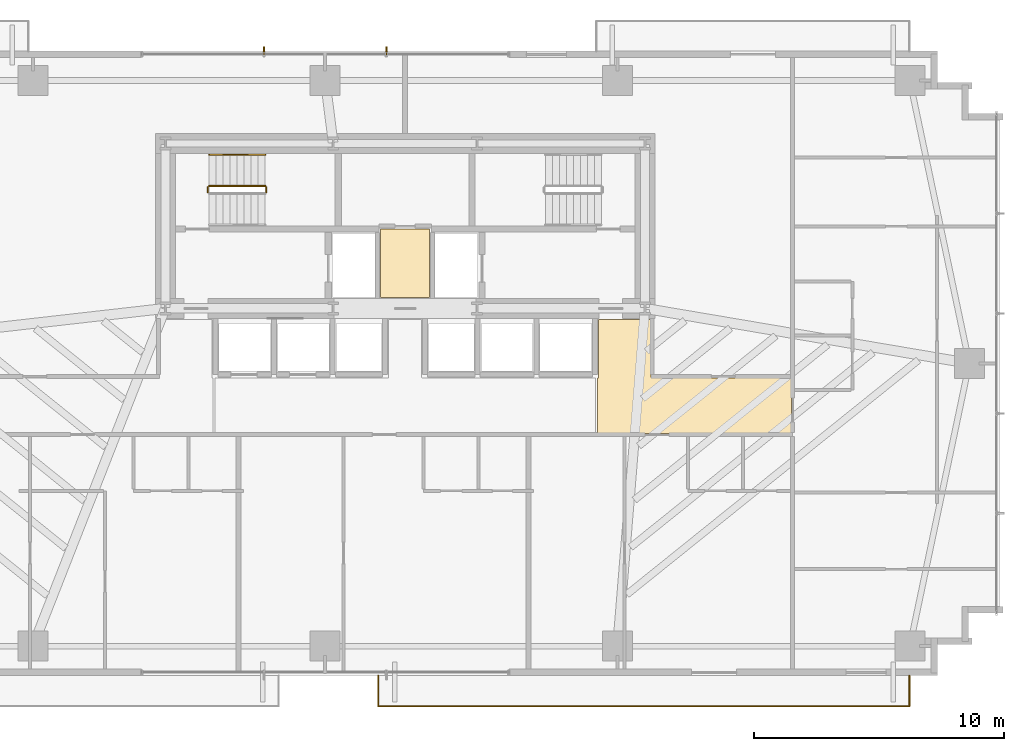
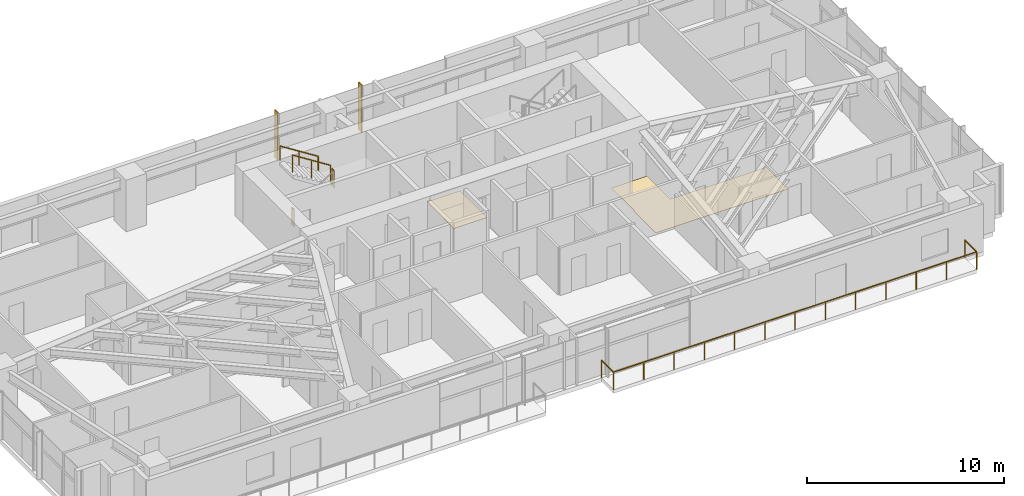
# One storey, part 24 of 25: 5 railings, 2 coverings, 2 shading devices.
"""IFC4 building model written with IfcOpenShell, lengths in metres."""

from ifc_helpers import new_model, si_unit, direction, frame, origin, origin_2d, place, context, subcontext, project, spatial, polyline, rectangle, outline, extrude, source, transform, mapped, material, layer, layer_set, type_object, type_shapes, element, save


model = new_model("IFC4")

# Units and contexts
model_context = context("Model", 3, precision=1e-05, world=origin(), true_north=direction((0.0, 1.0)))
body_context = subcontext(model_context, "Body", "Model", "MODEL_VIEW")
ifc_project = project(units=[si_unit("LENGTHUNIT", "METRE"), si_unit("AREAUNIT", "SQUARE_METRE"), si_unit("VOLUMEUNIT", "CUBIC_METRE"), si_unit("PLANEANGLEUNIT", "RADIAN"), si_unit("MASSUNIT", "GRAM", prefix="KILO")], contexts=[model_context])

# Site, building, storey
site_placement = place(None, origin())
site = spatial("IfcSite", under=ifc_project, at=site_placement, CompositionType="ELEMENT")
building_placement = place(site_placement, origin())
building = spatial("IfcBuilding", under=site, at=building_placement, Name="Astriad Promenade Condominiums", CompositionType="ELEMENT")
storey_placement = place(building_placement, frame((0.0, 0.0, 51.800048828125)))
storey = spatial("IfcBuildingStorey", under=building, at=storey_placement, Name="L14", CompositionType="ELEMENT", Elevation=51.800048828125)

# Coverings
ifc_material_1 = material(Name="Polished Lakefront Terrazzo Flooring")
ifc_layer = layer(ifc_material_1, 0.02001953125)
ifc_layer_set = layer_set([ifc_layer], Name="Polished Lakefront Terrazzo Flooring")
covering_type = type_object("IfcCoveringType", Name="COV-FLOR-TERRAZZO-20", PredefinedType="FLOORING", material=ifc_layer_set)
covering_1_placement = place(storey_placement, origin())
element("IfcCovering", 1, at=covering_1_placement, inside=storey, type_object=covering_type, Name="FLR-L14-CSL", PredefinedType="FLOORING", context=body_context, shape_type="SweptSolid", body=[
    extrude(outline(polyline([(36.97998046875, 17.840087890625), (35.02001953125, 17.840087890625), (35.02001953125, 20.580078125), (36.97998046875, 20.580078125), (36.97998046875, 17.840087890625)])), origin(), (0.0, 0.0, 1.0), 0.02001953125),
])
covering_2_placement = place(storey_placement, origin())
element("IfcCovering", 2, at=covering_2_placement, inside=storey, type_object=covering_type, Name="FLR-L14-COR-1", PredefinedType="FLOORING", context=body_context, shape_type="SweptSolid", body=[
    extrude(outline(polyline([(43.699951171875, 12.389892578125), (43.699951171875, 14.610107421875), (43.703857421875, 14.610107421875), (43.707763671875, 14.61083984375), (43.711669921875, 14.61181640625), (43.71533203125, 14.613037109375), (43.718994140625, 14.61474609375), (43.72216796875, 14.61669921875), (43.725341796875, 14.619140625), (43.728271484375, 14.62158203125), (43.73095703125, 14.62451171875), (43.7333984375, 14.627685546875), (43.7353515625, 14.631103515625), (43.737060546875, 14.634765625), (43.73828125, 14.638427734375), (43.7392578125, 14.64208984375), (43.73974609375, 14.64599609375), (43.739990234375, 14.64990234375), (43.739990234375, 16.9599609375), (45.840087890625, 16.9599609375), (45.840087890625, 14.659912109375), (45.840087890625, 14.656005859375), (45.8408203125, 14.652099609375), (45.841796875, 14.6484375), (45.843017578125, 14.644775390625), (45.8447265625, 14.64111328125), (45.8466796875, 14.6376953125), (45.84912109375, 14.634521484375), (45.851806640625, 14.631591796875), (45.8544921875, 14.629150390625), (45.85791015625, 14.626708984375), (45.861083984375, 14.624755859375), (45.86474609375, 14.623046875), (45.868408203125, 14.62158203125), (45.872314453125, 14.620849609375), (45.876220703125, 14.6201171875), (45.8798828125, 14.6201171875), (51.4599609375, 14.6201171875), (51.4599609375, 12.389892578125), (43.699951171875, 12.389892578125)])), origin(), (0.0, 0.0, 1.0), 0.02001953125),
])

# Shading devices
ifc_material_2 = material(Name="Anodised aluminium 6063-T6 Black Fin", Category="aluminium")
shading_device_type = type_object("IfcShadingDeviceType", Name="FIN-BLACK-320", PredefinedType="USERDEFINED", material=ifc_material_2)
shared_shape_1 = source(origin(), body_context, "Body", "SweptSolid", [
    extrude(rectangle(XDim=0.06494140625, YDim=0.320068359375, at=origin_2d()), origin(), (0.0, 0.0, 1.0), 2.93994140625),
])
type_shapes(shading_device_type, [shared_shape_1])
for number, where, z_axis, x_axis, name in (
    (3, (30.35009765625, 27.7099609375, 0.0), (0.0, 0.0, 1.0), (1.0, 0.0, 0.0), "CW-L14-N-FIN-01"),
    (4, (35.25, 27.7099609375, 0.0), (0.0, 0.0, 1.0), (1.0, 0.0, 0.0), "CW-L14-N-FIN-02"),
):
    element("IfcShadingDevice", number, at=place(storey_placement, frame(where, z_axis=z_axis, x_axis=x_axis)), inside=storey, type_object=shading_device_type, Name=name, ObjectType="FIN", PredefinedType="USERDEFINED", context=body_context, shape_type="MappedRepresentation", body=[
        mapped(shared_shape_1, transform((0.0, 0.0, 0.0), scale=1.0)),
    ])

# Railings
ifc_material_3 = material(Name="Laminated Glass and Stainless Steel Balustrade", Category="steel")
railing_type_1 = type_object("IfcRailingType", Name="GRD-BALC-1120", PredefinedType="BALUSTRADE", material=ifc_material_3)
shared_shape_2 = source(origin(), body_context, "Body", "SweptSolid", [
    extrude(rectangle(XDim=0.048095703125, YDim=0.048095703125, at=origin_2d()), frame((0.0, 0.0, 1.09619140625), z_axis=(0.0, -1.0, 0.0), x_axis=(1.0, 0.0, 0.0)), (0.0, 0.0, 1.0), 1.219970703125),
    extrude(rectangle(XDim=0.048095703125, YDim=0.048095703125, at=origin_2d()), frame((0.0, -1.219970703125, 1.09619140625), z_axis=(1.0, 0.0, 0.0), x_axis=(0.0, 1.0, 0.0)), (0.0, 0.0, 1.0), 21.258056640625),
    extrude(rectangle(XDim=0.048095703125, YDim=0.048095703125, at=origin_2d()), frame((21.258056640625, -1.219970703125, 1.09619140625), z_axis=(0.0, 1.0, 0.0), x_axis=(-1.0, 0.0, 0.0)), (0.0, 0.0, 1.0), 1.219970703125),
    extrude(rectangle(XDim=0.0419921875, YDim=0.0419921875, at=origin_2d()), origin(), (0.0, 0.0, 1.0), 1.072021484375),
    extrude(rectangle(XDim=0.0419921875, YDim=0.0419921875, at=origin_2d()), frame((0.0, -1.219970703125, 0.0)), (0.0, 0.0, 1.0), 1.072021484375),
    extrude(rectangle(XDim=0.0419921875, YDim=0.0419921875, at=origin_2d()), frame((1.771484375, -1.219970703125, 0.0)), (0.0, 0.0, 1.0), 1.072021484375),
    extrude(rectangle(XDim=0.0419921875, YDim=0.0419921875, at=origin_2d()), frame((3.54296875, -1.219970703125, 0.0)), (0.0, 0.0, 1.0), 1.072021484375),
    extrude(rectangle(XDim=0.0419921875, YDim=0.0419921875, at=origin_2d()), frame((5.314453125, -1.219970703125, 0.0)), (0.0, 0.0, 1.0), 1.072021484375),
    extrude(rectangle(XDim=0.0419921875, YDim=0.0419921875, at=origin_2d()), frame((7.0859375, -1.219970703125, 0.0)), (0.0, 0.0, 1.0), 1.072021484375),
    extrude(rectangle(XDim=0.0419921875, YDim=0.0419921875, at=origin_2d()), frame((8.857421875, -1.219970703125, 0.0)), (0.0, 0.0, 1.0), 1.072021484375),
    extrude(rectangle(XDim=0.0419921875, YDim=0.0419921875, at=origin_2d()), frame((10.62890625, -1.219970703125, 0.0)), (0.0, 0.0, 1.0), 1.072021484375),
    extrude(rectangle(XDim=0.0419921875, YDim=0.0419921875, at=origin_2d()), frame((12.400634765625, -1.219970703125, 0.0)), (0.0, 0.0, 1.0), 1.072021484375),
    extrude(rectangle(XDim=0.0419921875, YDim=0.0419921875, at=origin_2d()), frame((14.172119140625, -1.219970703125, 0.0)), (0.0, 0.0, 1.0), 1.072021484375),
    extrude(rectangle(XDim=0.0419921875, YDim=0.0419921875, at=origin_2d()), frame((15.943603515625, -1.219970703125, 0.0)), (0.0, 0.0, 1.0), 1.072021484375),
    extrude(rectangle(XDim=0.0419921875, YDim=0.0419921875, at=origin_2d()), frame((17.715087890625, -1.219970703125, 0.0)), (0.0, 0.0, 1.0), 1.072021484375),
    extrude(rectangle(XDim=0.0419921875, YDim=0.0419921875, at=origin_2d()), frame((19.486572265625, -1.219970703125, 0.0)), (0.0, 0.0, 1.0), 1.072021484375),
    extrude(rectangle(XDim=0.0419921875, YDim=0.0419921875, at=origin_2d()), frame((21.258056640625, -1.219970703125, 0.0)), (0.0, 0.0, 1.0), 1.072021484375),
    extrude(rectangle(XDim=0.0419921875, YDim=0.0419921875, at=origin_2d()), frame((21.258056640625, 0.0, 0.0)), (0.0, 0.0, 1.0), 1.072021484375),
])
type_shapes(railing_type_1, [shared_shape_2])
railing_1_placement = place(storey_placement, frame((34.927978515625, 2.699951171875, 0.0)))
element("IfcRailing", 5, at=railing_1_placement, inside=storey, type_object=railing_type_1, Name="GRD-BALC-L14-SE", PredefinedType="BALUSTRADE", context=body_context, shape_type="MappedRepresentation", body=[
    mapped(shared_shape_2, transform((0.0, 0.0, 0.0), scale=1.0)),
])
ifc_material_4 = material(Name="Painted Galvanised Steel Guardrail", Category="steel")
railing_type_2 = type_object("IfcRailingType", Name="GRD-STAIR-1100", PredefinedType="GUARDRAIL", material=ifc_material_4)
shared_shape_3 = source(origin(), body_context, "Body", "SweptSolid", [
    extrude(rectangle(XDim=0.048095703125, YDim=0.048095703125, at=origin_2d()), frame((0.0, 0.0, 1.076171875), z_axis=(0.0, 1.0, 0.0), x_axis=(-1.0, 0.0, 0.0)), (0.0, 0.0, 1.0), 0.199951171875),
    extrude(rectangle(XDim=0.0419921875, YDim=0.0419921875, at=origin_2d()), origin(), (0.0, 0.0, 1.0), 1.052001953125),
    extrude(rectangle(XDim=0.0419921875, YDim=0.0419921875, at=origin_2d()), frame((0.0, 0.199951171875, 0.0)), (0.0, 0.0, 1.0), 1.052001953125),
])
for number, where, name in (
    (6, (30.43994140625, 22.050048828125, 1.599853515625), "L14 ST-1 stair guard 2"),
    (7, (28.10009765625, 22.050048828125, 0.0), "L14 ST-1 stair guard 4"),
):
    element("IfcRailing", number, at=place(storey_placement, frame(where)), inside=storey, type_object=railing_type_2, Name=name, PredefinedType="GUARDRAIL", context=body_context, shape_type="MappedRepresentation", body=[
        mapped(shared_shape_3, transform((0.0, 0.0, 0.0), scale=1.0)),
    ])
shared_shape_4 = source(origin(), body_context, "Body", "SweptSolid", [
    extrude(rectangle(XDim=0.048095703125, YDim=0.048095703125, at=origin_2d()), frame((0.0, 0.0, 1.076171875), z_axis=(-0.8442293374, 0.0, 0.53598211339), x_axis=(0.0, -1.0, 0.0)), (0.0, 0.0, 1.0), 2.6533203125),
    extrude(rectangle(XDim=0.0419921875, YDim=0.0419921875, at=origin_2d()), origin(), (0.0, 0.0, 1.0), 1.052001953125),
    extrude(rectangle(XDim=0.0419921875, YDim=0.0419921875, at=origin_2d()), frame((-1.1201171875, 0.0, 0.7109375)), (0.0, 0.0, 1.0), 1.052001953125),
    extrude(rectangle(XDim=0.0419921875, YDim=0.0419921875, at=origin_2d()), frame((-2.239990234375, 0.0, 1.422119140625)), (0.0, 0.0, 1.0), 1.052001953125),
])
type_shapes(railing_type_2, [shared_shape_3, shared_shape_4])
railing_2_placement = place(storey_placement, frame((30.389892578125, 22.300048828125, 1.77783203125)))
element("IfcRailing", 8, at=railing_2_placement, inside=storey, type_object=railing_type_2, Name="L14 ST-1 stair guard 3", PredefinedType="GUARDRAIL", context=body_context, shape_type="MappedRepresentation", body=[
    mapped(shared_shape_4, transform((0.0, 0.0, 0.0), scale=1.0)),
])
ifc_material_5 = material(Name="Brushed Stainless Steel Handrail", Category="steel")
railing_type_3 = type_object("IfcRailingType", Name="HRL-STAIR-920", PredefinedType="HANDRAIL", material=ifc_material_5)
shared_shape_5 = source(origin(), body_context, "Body", "SweptSolid", [
    extrude(rectangle(XDim=0.048095703125, YDim=0.048095703125, at=origin_2d()), frame((0.0, 0.0, 0.8759765625), z_axis=(-0.8442293374, 0.0, 0.53598211339), x_axis=(0.0, -1.0, 0.0)), (0.0, 0.0, 1.0), 2.6533203125),
    extrude(rectangle(XDim=0.0419921875, YDim=0.0419921875, at=origin_2d()), origin(), (0.0, 0.0, 1.0), 0.851806640625),
    extrude(rectangle(XDim=0.0419921875, YDim=0.0419921875, at=origin_2d()), frame((-1.1201171875, 0.0, 0.7109375)), (0.0, 0.0, 1.0), 0.851806640625),
    extrude(rectangle(XDim=0.0419921875, YDim=0.0419921875, at=origin_2d()), frame((-2.239990234375, 0.0, 1.422119140625)), (0.0, 0.0, 1.0), 0.851806640625),
])
type_shapes(railing_type_3, [shared_shape_5])
railing_3_placement = place(storey_placement, frame((30.389892578125, 23.550048828125, 1.77783203125)))
element("IfcRailing", 9, at=railing_3_placement, inside=storey, type_object=railing_type_3, Name="L14 ST-1 stair handrail 2", PredefinedType="HANDRAIL", context=body_context, shape_type="MappedRepresentation", body=[
    mapped(shared_shape_5, transform((0.0, 0.0, 0.0), scale=1.0)),
])

save(model, "model.ifc")
